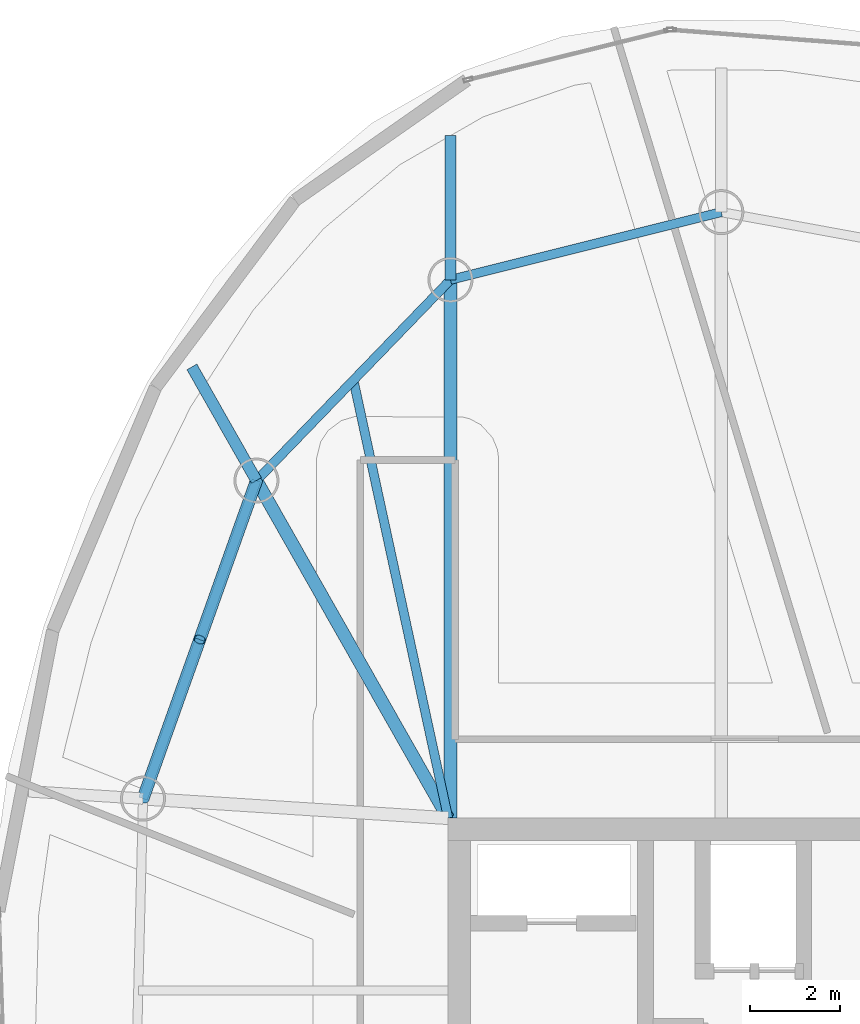
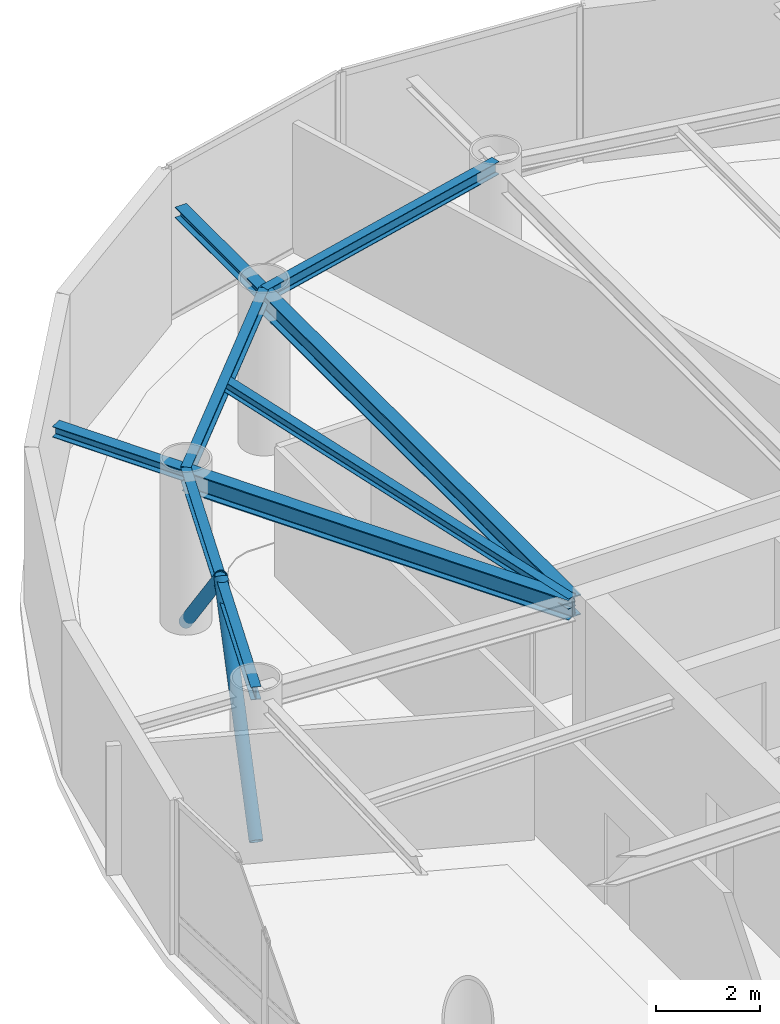
# One storey, part 11 of 23: 8 beams, 2 members.
"""IFC4 building model written with IfcOpenShell, lengths in metres."""

from ifc_helpers import new_model, si_unit, direction, frame, origin, origin_2d, place, context, subcontext, project, spatial, hollow_circle, i_section, extrude, material, material_profile, profile_set, type_object, element, save


model = new_model("IFC4")

# Units and contexts
model_context = context("Model", 3, precision=1e-05, world=origin(), true_north=direction((0.0, 1.0)))
body_context = subcontext(model_context, "Body", "Model", "MODEL_VIEW")
ifc_project = project(units=[si_unit("LENGTHUNIT", "METRE"), si_unit("AREAUNIT", "SQUARE_METRE"), si_unit("VOLUMEUNIT", "CUBIC_METRE"), si_unit("PLANEANGLEUNIT", "RADIAN"), si_unit("MASSUNIT", "GRAM", prefix="KILO")], contexts=[model_context])

# Site, building, storey
site_placement = place(None, origin())
site = spatial("IfcSite", under=ifc_project, at=site_placement, CompositionType="ELEMENT")
building_placement = place(site_placement, origin())
building = spatial("IfcBuilding", under=site, at=building_placement, Name="Bramvorn Convention Spire", CompositionType="ELEMENT")
storey_placement = place(building_placement, frame((0.0, 0.0, 295.949951171875)))
storey = spatial("IfcBuildingStorey", under=building, at=storey_placement, Name="L75", CompositionType="ELEMENT", Elevation=295.949951171875)

# Beams
ifc_material = material(Name="Steel CSA G40.21 Grade 350 (350W)", Category="steel")
ifc_material_profile_1 = material_profile(ifc_material, i_section(OverallWidth=0.201904296875, OverallDepth=0.2470703125, WebThickness=0.00732421875, FlangeThickness=0.010986328125, FilletRadius=0.011962890625, at=origin_2d()))
ifc_profile_set_1 = profile_set([ifc_material_profile_1], Name="Steel CSA G40.21 Grade 350 (350W) - W250X49")
beam_type_1 = type_object("IfcBeamType", Name="BM-W250X49", PredefinedType="JOIST", material=ifc_profile_set_1)
beam_1_placement = place(storey_placement, frame((26.75, 33.449951171875, 3.50146484375), z_axis=(-0.211461445939, 0.977386339623, 0.0), x_axis=(-0.977386339623, -0.211461445939, 0.0)))
element("IfcBeam", 1, at=beam_1_placement, inside=storey, type_object=beam_type_1, Name="L75 composite floor joist 09", PredefinedType="JOIST", context=body_context, shape_type="SweptSolid", body=[
    extrude(i_section(OverallWidth=0.201904296875, OverallDepth=0.2470703125, WebThickness=0.00732421875, FlangeThickness=0.010986328125, FilletRadius=0.011962890625, at=origin_2d()), origin(), (0.0, 0.0, 1.0), 9.9462890625),
])
ifc_material_profile_2 = material_profile(ifc_material, i_section(OverallWidth=0.25390625, OverallDepth=0.2529296875, WebThickness=0.008544921875, FlangeThickness=0.01416015625, FilletRadius=0.011962890625, at=origin_2d()))
ifc_profile_set_2 = profile_set([ifc_material_profile_2], Name="Steel CSA G40.21 Grade 350 (350W) - W250X73")
beam_type_2 = type_object("IfcBeamType", Name="BM-W250X73", PredefinedType="BEAM", material=ifc_profile_set_2)
beam_2_placement = place(storey_placement, frame((26.800048828125, 45.39892578125, 3.49853515625), z_axis=(0.0, 1.0, 0.0), x_axis=(-1.0, 0.0, 0.0)))
element("IfcBeam", 2, at=beam_2_placement, inside=storey, type_object=beam_type_2, Name="L75 slab-edge cantilever tip beam MC09", PredefinedType="BEAM", context=body_context, shape_type="SweptSolid", body=[
    extrude(i_section(OverallWidth=0.25390625, OverallDepth=0.2529296875, WebThickness=0.008544921875, FlangeThickness=0.01416015625, FilletRadius=0.011962890625, at=origin_2d()), origin(), (0.0, 0.0, 1.0), 3.2001953125),
])
beam_3_placement = place(storey_placement, frame((22.49365234375, 40.94384765625, 3.49853515625), z_axis=(-0.493889380926, 0.869524743413, 0.0), x_axis=(-0.869524743413, -0.493889380926, 0.0)))
element("IfcBeam", 3, at=beam_3_placement, inside=storey, type_object=beam_type_2, Name="L75 slab-edge cantilever tip beam MC10", PredefinedType="BEAM", context=body_context, shape_type="SweptSolid", body=[
    extrude(i_section(OverallWidth=0.25390625, OverallDepth=0.2529296875, WebThickness=0.008544921875, FlangeThickness=0.01416015625, FilletRadius=0.011962890625, at=origin_2d()), origin(), (0.0, 0.0, 1.0), 2.900634765625),
])
ifc_material_profile_3 = material_profile(ifc_material, i_section(OverallWidth=0.202880859375, OverallDepth=0.302978515625, WebThickness=0.007568359375, FlangeThickness=0.01318359375, FilletRadius=0.013916015625, at=origin_2d()))
ifc_profile_set_3 = profile_set([ifc_material_profile_3], Name="Steel CSA G40.21 Grade 350 (350W) - W310X60")
beam_type_3 = type_object("IfcBeamType", Name="BM-W310X60", PredefinedType="JOIST", material=ifc_profile_set_3)
for number, where, z_axis, x_axis, name in (
    (4, (32.8115234375, 46.90087890625, 3.4736328125), (-0.970177255997, -0.24239655927, 0.0), (0.24239655927, -0.970177255997, 0.0), "L75 mega-column ring beam 08"),
    (5, (26.800048828125, 45.39892578125, 3.4736328125), (-0.695007159797, -0.719002814898, 0.0), (0.719002814898, -0.695007159797, 0.0), "L75 mega-column ring beam 09"),
):
    element("IfcBeam", number, at=place(storey_placement, frame(where, z_axis=z_axis, x_axis=x_axis)), inside=storey, type_object=beam_type_3, Name=name, PredefinedType="JOIST", context=body_context, shape_type="SweptSolid", body=[
        extrude(i_section(OverallWidth=0.202880859375, OverallDepth=0.302978515625, WebThickness=0.007568359375, FlangeThickness=0.01318359375, FilletRadius=0.013916015625, at=origin_2d()), origin(), (0.0, 0.0, 1.0), 6.1962890625),
    ])
beam_4_placement = place(storey_placement, frame((22.49365234375, 40.94384765625, 3.4736328125), z_axis=(-0.335839090413, -0.941919373063, 0.0), x_axis=(0.941919373063, -0.335839090413, 0.0)))
element("IfcBeam", 6, at=beam_4_placement, inside=storey, type_object=beam_type_3, Name="L75 mega-column ring beam 10", PredefinedType="JOIST", context=body_context, shape_type="SweptSolid", body=[
    extrude(i_section(OverallWidth=0.202880859375, OverallDepth=0.302978515625, WebThickness=0.007568359375, FlangeThickness=0.01318359375, FilletRadius=0.013916015625, at=origin_2d()), origin(), (0.0, 0.0, 1.0), 7.49560546875),
])
ifc_material_profile_4 = material_profile(ifc_material, i_section(OverallWidth=0.283935546875, OverallDepth=0.47607421875, WebThickness=0.014892578125, FlangeThickness=0.02392578125, FilletRadius=0.01806640625, at=origin_2d()))
ifc_profile_set_4 = profile_set([ifc_material_profile_4], Name="Steel CSA G40.21 Grade 350 (350W) - W460X158")
beam_type_4 = type_object("IfcBeamType", Name="BM-W460X158", PredefinedType="SPANDREL", material=ifc_profile_set_4)
beam_5_placement = place(storey_placement, frame((26.800048828125, 33.449951171875, 3.386962890625), z_axis=(0.0, 1.0, 0.0), x_axis=(-1.0, 0.0, 0.0)))
element("IfcBeam", 7, at=beam_5_placement, inside=storey, type_object=beam_type_4, Name="L75 radial floor girder MC09", PredefinedType="SPANDREL", context=body_context, shape_type="SweptSolid", body=[
    extrude(i_section(OverallWidth=0.283935546875, OverallDepth=0.47607421875, WebThickness=0.014892578125, FlangeThickness=0.02392578125, FilletRadius=0.01806640625, at=origin_2d()), origin(), (0.0, 0.0, 1.0), 11.948974609375),
])
beam_6_placement = place(storey_placement, frame((26.75, 33.449951171875, 3.386962890625), z_axis=(-0.493873612118, 0.869533699895, 0.0), x_axis=(-0.869533699895, -0.493873612118, 0.0)))
element("IfcBeam", 8, at=beam_6_placement, inside=storey, type_object=beam_type_4, Name="L75 radial floor girder MC10", PredefinedType="SPANDREL", context=body_context, shape_type="SweptSolid", body=[
    extrude(i_section(OverallWidth=0.283935546875, OverallDepth=0.47607421875, WebThickness=0.014892578125, FlangeThickness=0.02392578125, FilletRadius=0.01806640625, at=origin_2d()), origin(), (0.0, 0.0, 1.0), 8.618408203125),
])

# Members
ifc_material_profile_5 = material_profile(ifc_material, hollow_circle(Radius=0.136474609375, WallThickness=0.0126953125, at=origin_2d()))
ifc_profile_set_5 = profile_set([ifc_material_profile_5], Name="Steel CSA G40.21 Grade 350 (350W) - CHS273X13")
member_type = type_object("IfcMemberType", Name="MBR-CHS273X13", PredefinedType="BRACE", material=ifc_profile_set_5)
member_1_placement = place(storey_placement, frame((22.49365234375, 40.94384765625, 0.0), z_axis=(-0.241415019829, -0.677048329465, 0.695215324751), x_axis=(0.941912743486, -0.335857683639, 0.0)))
element("IfcMember", 9, at=member_1_placement, inside=storey, type_object=member_type, Name="L75 perimeter Gothic lancet brace 10A", PredefinedType="BRACE", context=body_context, shape_type="SweptSolid", body=[
    extrude(hollow_circle(Radius=0.136474609375, WallThickness=0.0126953125, at=origin_2d()), origin(), (0.0, 0.0, 1.0), 5.214111328125),
])
member_2_placement = place(storey_placement, frame((19.976318359375, 33.883544921875, 0.0), z_axis=(0.241378577718, 0.677030621771, 0.695245222495), x_axis=(-0.941926002824, 0.335820495509, 0.0)))
element("IfcMember", 10, at=member_2_placement, inside=storey, type_object=member_type, Name="L75 perimeter Gothic lancet brace 10B", PredefinedType="BRACE", context=body_context, shape_type="SweptSolid", body=[
    extrude(hollow_circle(Radius=0.136474609375, WallThickness=0.0126953125, at=origin_2d()), origin(), (0.0, 0.0, 1.0), 5.2138671875),
])

save(model, "model.ifc")
